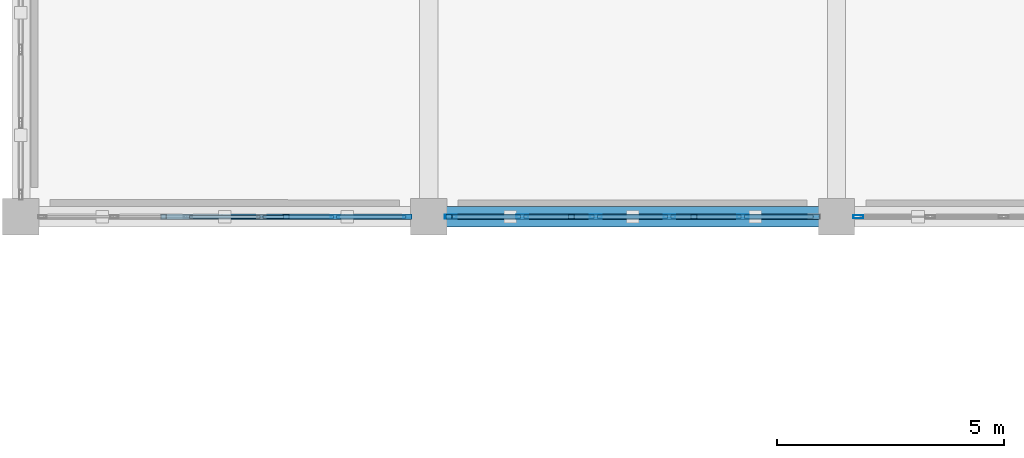
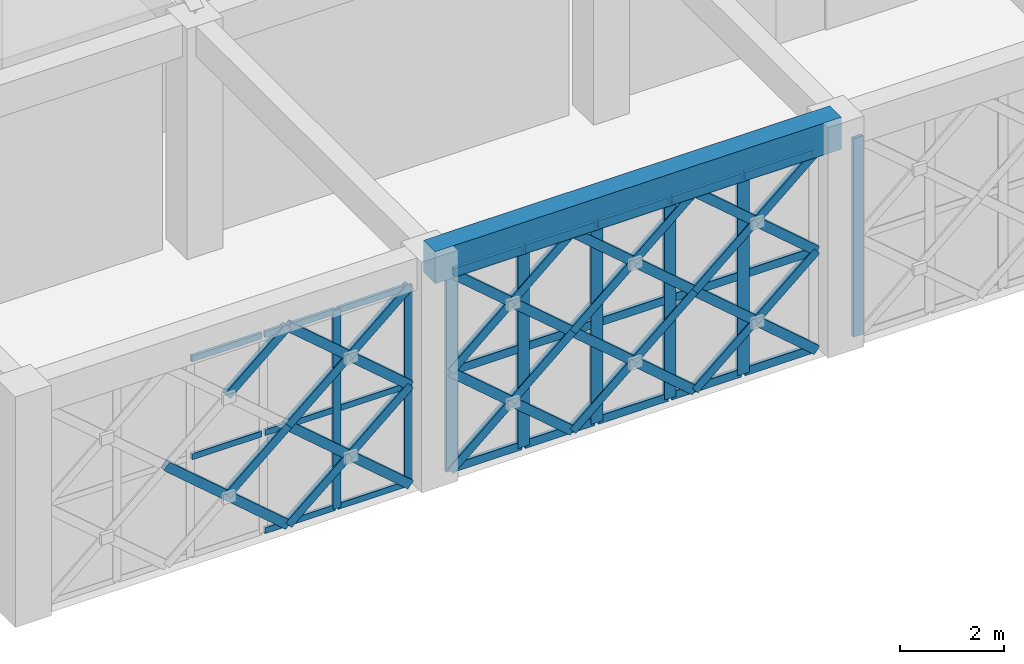
# One storey, part 23 of 86: 58 members, 1 beam, 3 elements without a shape of their own.
"""IFC4 building model written with IfcOpenShell, lengths in metres."""

from ifc_helpers import new_model, si_unit, direction, frame, origin, origin_2d, place, context, subcontext, project, spatial, rectangle, hollow_rectangle, extrude, material, material_profile, profile_set, type_object, element, aggregate, save


model = new_model("IFC4")

# Units and contexts
model_context = context("Model", 3, precision=1e-05, world=origin(), true_north=direction((0.0, 1.0)))
body_context = subcontext(model_context, "Body", "Model", "MODEL_VIEW")
ifc_project = project(units=[si_unit("LENGTHUNIT", "METRE"), si_unit("AREAUNIT", "SQUARE_METRE"), si_unit("VOLUMEUNIT", "CUBIC_METRE"), si_unit("PLANEANGLEUNIT", "RADIAN"), si_unit("MASSUNIT", "GRAM", prefix="KILO")], contexts=[model_context])

# Site, building, storey
site_placement = place(None, origin())
site = spatial("IfcSite", under=ifc_project, at=site_placement, CompositionType="ELEMENT")
building_placement = place(site_placement, origin())
building = spatial("IfcBuilding", under=site, at=building_placement, Name="Haizhuo Lancet Aquarium", CompositionType="ELEMENT")
storey_placement = place(building_placement, frame((0.0, 0.0, 16.199951171875)))
storey = spatial("IfcBuildingStorey", under=building, at=storey_placement, Name="L03", CompositionType="ELEMENT", Elevation=16.199951171875)

# Beam
ifc_material_1 = material(Name="Concrete C40/50", Category="concrete")
ifc_material_profile_1 = material_profile(ifc_material_1, rectangle(XDim=0.449951171875, YDim=0.75, at=origin_2d()), Name="RC-BM 450x750")
ifc_profile_set_1 = profile_set([ifc_material_profile_1], Name="Concrete C40/50")
beam_type = type_object("IfcBeamType", Name="BM-RC-450x750", PredefinedType="BEAM", material=ifc_profile_set_1)
beam_placement = place(storey_placement, frame((36.0, -36.0, 5.025146484375), z_axis=(1.0, 0.0, 0.0), x_axis=(0.0, 1.0, 0.0)))
element("IfcBeam", 1, at=beam_placement, inside=storey, type_object=beam_type, Name="L03 V3 primary girder BM-L03-V3-008", PredefinedType="BEAM", context=body_context, shape_type="SweptSolid", body=[
    extrude(rectangle(XDim=0.449951171875, YDim=0.75, at=origin_2d()), origin(), (0.0, 0.0, 1.0), 9.0),
])

# Curtain wall, members
ifc_material_2 = material(Name="Aluminium 6063-T6", Category="aluminium")
curtain_wall_type = type_object("IfcCurtainWallType", Name="CWO-8110x4650", PredefinedType="NOTDEFINED", material=ifc_material_2)
curtain_wall_1_placement = place(storey_placement, origin())
curtain_wall_1 = element("IfcCurtainWall", 2, at=curtain_wall_1_placement, inside=storey, type_object=curtain_wall_type, Name="L03 curtain wall CW-V3-L03-079", PredefinedType="NOTDEFINED")
ifc_material_profile_2 = material_profile(ifc_material_2, hollow_rectangle(XDim=0.06494140625, YDim=0.179931640625, WallThickness=0.00390625, at=origin_2d()), Name="ALU-M 65x180x4")
ifc_profile_set_2 = profile_set([ifc_material_profile_2], Name="Aluminium 6063-T6")
member_type_1 = type_object("IfcMemberType", Name="CW-MUL-1", PredefinedType="MULLION", material=ifc_profile_set_2)
member_1_placement = place(storey_placement, frame((35.52294921875, -36.0, 0.0), z_axis=(0.0, 0.0, 1.0), x_axis=(0.0, -1.0, 0.0)))
member_1 = element("IfcMember", 3, at=member_1_placement, type_object=member_type_1, Name="CWO-81x46 mullion 1", PredefinedType="MULLION", context=body_context, shape_type="SweptSolid", body=[
    extrude(hollow_rectangle(XDim=0.06494140625, YDim=0.179931640625, WallThickness=0.00390625, at=origin_2d()), origin(), (0.0, 0.0, 1.0), 4.650146484375),
])
member_2_placement = place(storey_placement, frame((33.93310546875, -36.0, 0.0), z_axis=(0.0, 0.0, 1.0), x_axis=(0.0, -1.0, 0.0)))
member_2 = element("IfcMember", 4, at=member_2_placement, type_object=member_type_1, Name="CWO-81x46 mullion 2", PredefinedType="MULLION", context=body_context, shape_type="SweptSolid", body=[
    extrude(hollow_rectangle(XDim=0.06494140625, YDim=0.179931640625, WallThickness=0.00390625, at=origin_2d()), origin(), (0.0, 0.0, 1.0), 4.650146484375),
])

# Curtain wall, member
curtain_wall_2_placement = place(storey_placement, origin())
curtain_wall_2 = element("IfcCurtainWall", 5, at=curtain_wall_2_placement, inside=storey, type_object=curtain_wall_type, Name="L03 curtain wall CW-V3-L03-077", PredefinedType="NOTDEFINED")
ifc_material_profile_3 = material_profile(ifc_material_2, hollow_rectangle(XDim=0.074951171875, YDim=0.219970703125, WallThickness=0.0048828125, at=origin_2d()), Name="ALU-M 75x220x5")
ifc_profile_set_3 = profile_set([ifc_material_profile_3], Name="Aluminium 6063-T6")
member_type_2 = type_object("IfcMemberType", Name="CW-MUL-2", PredefinedType="MULLION", material=ifc_profile_set_3)
member_3_placement = place(storey_placement, frame((45.48291015625, -36.0, 0.0), z_axis=(0.0, 0.0, 1.0), x_axis=(0.0, -1.0, 0.0)))
member_3 = element("IfcMember", 6, at=member_3_placement, type_object=member_type_2, Name="CWO-81x46 mullion 6", PredefinedType="MULLION", context=body_context, shape_type="SweptSolid", body=[
    extrude(hollow_rectangle(XDim=0.074951171875, YDim=0.219970703125, WallThickness=0.0048828125, at=origin_2d()), origin(), (0.0, 0.0, 1.0), 4.650146484375),
])
aggregate(curtain_wall_2, [member_3])

# Curtain wall, members
curtain_wall_3_placement = place(storey_placement, origin())
curtain_wall_3 = element("IfcCurtainWall", 7, at=curtain_wall_3_placement, inside=storey, type_object=curtain_wall_type, Name="L03 curtain wall CW-V3-L03-078", PredefinedType="NOTDEFINED")
ifc_material_profile_4 = material_profile(ifc_material_2, hollow_rectangle(XDim=0.080078125, YDim=0.260009765625, WallThickness=0.0048828125, at=origin_2d()), Name="ALU-M 80x260x5")
ifc_profile_set_4 = profile_set([ifc_material_profile_4], Name="Aluminium 6063-T6")
member_type_3 = type_object("IfcMemberType", Name="CW-MUL-3", PredefinedType="MULLION", material=ifc_profile_set_4)
member_4_placement = place(storey_placement, frame((42.93310546875, -36.0, 0.0), z_axis=(0.0, 0.0, 1.0), x_axis=(0.0, -1.0, 0.0)))
member_4 = element("IfcMember", 8, at=member_4_placement, type_object=member_type_3, Name="CWO-81x46 mullion 2", PredefinedType="MULLION", context=body_context, shape_type="SweptSolid", body=[
    extrude(hollow_rectangle(XDim=0.080078125, YDim=0.260009765625, WallThickness=0.0048828125, at=origin_2d()), origin(), (0.0, 0.0, 1.0), 4.650146484375),
])
member_5_placement = place(storey_placement, frame((41.31103515625, -36.0, 0.0), z_axis=(0.0, 0.0, 1.0), x_axis=(0.0, -1.0, 0.0)))
member_5 = element("IfcMember", 9, at=member_5_placement, type_object=member_type_3, Name="CWO-81x46 mullion 3", PredefinedType="MULLION", context=body_context, shape_type="SweptSolid", body=[
    extrude(hollow_rectangle(XDim=0.080078125, YDim=0.260009765625, WallThickness=0.0048828125, at=origin_2d()), origin(), (0.0, 0.0, 1.0), 4.650146484375),
])
member_6_placement = place(storey_placement, frame((39.68896484375, -36.0, 0.0), z_axis=(0.0, 0.0, 1.0), x_axis=(0.0, -1.0, 0.0)))
member_6 = element("IfcMember", 10, at=member_6_placement, type_object=member_type_3, Name="CWO-81x46 mullion 4", PredefinedType="MULLION", context=body_context, shape_type="SweptSolid", body=[
    extrude(hollow_rectangle(XDim=0.080078125, YDim=0.260009765625, WallThickness=0.0048828125, at=origin_2d()), origin(), (0.0, 0.0, 1.0), 4.650146484375),
])
member_7_placement = place(storey_placement, frame((38.06689453125, -36.0, 0.0), z_axis=(0.0, 0.0, 1.0), x_axis=(0.0, -1.0, 0.0)))
member_7 = element("IfcMember", 11, at=member_7_placement, type_object=member_type_3, Name="CWO-81x46 mullion 5", PredefinedType="MULLION", context=body_context, shape_type="SweptSolid", body=[
    extrude(hollow_rectangle(XDim=0.080078125, YDim=0.260009765625, WallThickness=0.0048828125, at=origin_2d()), origin(), (0.0, 0.0, 1.0), 4.650146484375),
])
member_8_placement = place(storey_placement, frame((36.485107421875, -36.0, 0.0), z_axis=(0.0, 0.0, 1.0), x_axis=(0.0, -1.0, 0.0)))
member_8 = element("IfcMember", 12, at=member_8_placement, type_object=member_type_3, Name="CWO-81x46 mullion 6", PredefinedType="MULLION", context=body_context, shape_type="SweptSolid", body=[
    extrude(hollow_rectangle(XDim=0.080078125, YDim=0.260009765625, WallThickness=0.0048828125, at=origin_2d()), origin(), (0.0, 0.0, 1.0), 4.650146484375),
])

# Member
ifc_material_profile_5 = material_profile(ifc_material_2, hollow_rectangle(XDim=0.06494140625, YDim=0.139892578125, WallThickness=0.00390625, at=origin_2d()), Name="ALU-T 65x140x4")
ifc_profile_set_5 = profile_set([ifc_material_profile_5], Name="Aluminium 6063-T6")
member_type_4 = type_object("IfcMemberType", Name="CW-TRN-1", PredefinedType="NOTDEFINED", material=ifc_profile_set_5)
member_9_placement = place(storey_placement, frame((35.489990234375, -36.0, 0.031982421875), z_axis=(-1.0, 0.0, 0.0), x_axis=(0.0, -1.0, 0.0)))
member_9 = element("IfcMember", 13, at=member_9_placement, type_object=member_type_4, Name="CWO-81x46 transom 1.1", ObjectType="TRANSOM", PredefinedType="USERDEFINED", context=body_context, shape_type="SweptSolid", body=[
    extrude(hollow_rectangle(XDim=0.06494140625, YDim=0.139892578125, WallThickness=0.00390625, at=origin_2d()), origin(), (0.0, 0.0, 1.0), 1.52490234375),
])

member_10_placement = place(storey_placement, frame((35.489990234375, -36.0, 2.324951171875), z_axis=(-1.0, 0.0, 0.0), x_axis=(0.0, -1.0, 0.0)))
member_10 = element("IfcMember", 14, at=member_10_placement, type_object=member_type_4, Name="CWO-81x46 transom 1.2", ObjectType="TRANSOM", PredefinedType="USERDEFINED", context=body_context, shape_type="SweptSolid", body=[
    extrude(hollow_rectangle(XDim=0.06494140625, YDim=0.139892578125, WallThickness=0.00390625, at=origin_2d()), origin(), (0.0, 0.0, 1.0), 1.52490234375),
])

member_11_placement = place(storey_placement, frame((35.489990234375, -36.0, 4.6181640625), z_axis=(-1.0, 0.0, 0.0), x_axis=(0.0, -1.0, 0.0)))
member_11 = element("IfcMember", 15, at=member_11_placement, type_object=member_type_4, Name="CWO-81x46 transom 1.3", ObjectType="TRANSOM", PredefinedType="USERDEFINED", context=body_context, shape_type="SweptSolid", body=[
    extrude(hollow_rectangle(XDim=0.06494140625, YDim=0.139892578125, WallThickness=0.00390625, at=origin_2d()), origin(), (0.0, 0.0, 1.0), 1.52490234375),
])

member_12_placement = place(storey_placement, frame((33.90087890625, -36.0, 0.031982421875), z_axis=(-1.0, 0.0, 0.0), x_axis=(0.0, -1.0, 0.0)))
member_12 = element("IfcMember", 16, at=member_12_placement, type_object=member_type_4, Name="CWO-81x46 transom 2.1", ObjectType="TRANSOM", PredefinedType="USERDEFINED", context=body_context, shape_type="SweptSolid", body=[
    extrude(hollow_rectangle(XDim=0.06494140625, YDim=0.139892578125, WallThickness=0.00390625, at=origin_2d()), origin(), (0.0, 0.0, 1.0), 1.557861328125),
])

member_13_placement = place(storey_placement, frame((33.90087890625, -36.0, 2.324951171875), z_axis=(-1.0, 0.0, 0.0), x_axis=(0.0, -1.0, 0.0)))
member_13 = element("IfcMember", 17, at=member_13_placement, type_object=member_type_4, Name="CWO-81x46 transom 2.2", ObjectType="TRANSOM", PredefinedType="USERDEFINED", context=body_context, shape_type="SweptSolid", body=[
    extrude(hollow_rectangle(XDim=0.06494140625, YDim=0.139892578125, WallThickness=0.00390625, at=origin_2d()), origin(), (0.0, 0.0, 1.0), 1.557861328125),
])

member_14_placement = place(storey_placement, frame((33.90087890625, -36.0, 4.6181640625), z_axis=(-1.0, 0.0, 0.0), x_axis=(0.0, -1.0, 0.0)))
member_14 = element("IfcMember", 18, at=member_14_placement, type_object=member_type_4, Name="CWO-81x46 transom 2.3", ObjectType="TRANSOM", PredefinedType="USERDEFINED", context=body_context, shape_type="SweptSolid", body=[
    extrude(hollow_rectangle(XDim=0.06494140625, YDim=0.139892578125, WallThickness=0.00390625, at=origin_2d()), origin(), (0.0, 0.0, 1.0), 1.557861328125),
])

member_15_placement = place(storey_placement, frame((32.279052734375, -36.0, 2.324951171875), z_axis=(-1.0, 0.0, 0.0), x_axis=(0.0, -1.0, 0.0)))
member_15 = element("IfcMember", 19, at=member_15_placement, type_object=member_type_4, Name="CWO-81x46 transom 3.2", ObjectType="TRANSOM", PredefinedType="USERDEFINED", context=body_context, shape_type="SweptSolid", body=[
    extrude(hollow_rectangle(XDim=0.06494140625, YDim=0.139892578125, WallThickness=0.00390625, at=origin_2d()), origin(), (0.0, 0.0, 1.0), 1.55810546875),
])

member_16_placement = place(storey_placement, frame((32.279052734375, -36.0, 4.6181640625), z_axis=(-1.0, 0.0, 0.0), x_axis=(0.0, -1.0, 0.0)))
member_16 = element("IfcMember", 20, at=member_16_placement, type_object=member_type_4, Name="CWO-81x46 transom 3.3", ObjectType="TRANSOM", PredefinedType="USERDEFINED", context=body_context, shape_type="SweptSolid", body=[
    extrude(hollow_rectangle(XDim=0.06494140625, YDim=0.139892578125, WallThickness=0.00390625, at=origin_2d()), origin(), (0.0, 0.0, 1.0), 1.55810546875),
])

aggregate(curtain_wall_1, [member_1, member_2, member_9, member_10, member_11, member_12, member_13, member_14, member_15, member_16])

ifc_material_profile_6 = material_profile(ifc_material_2, hollow_rectangle(XDim=0.080078125, YDim=0.18994140625, WallThickness=0.0048828125, at=origin_2d()), Name="ALU-T 80x190x5")
ifc_profile_set_6 = profile_set([ifc_material_profile_6], Name="Aluminium 6063-T6")
member_type_5 = type_object("IfcMemberType", Name="CW-TRN-3", PredefinedType="NOTDEFINED", material=ifc_profile_set_6)
member_17_placement = place(storey_placement, frame((44.47509765625, -36.0, 0.0400390625), z_axis=(-1.0, 0.0, 0.0), x_axis=(0.0, -1.0, 0.0)))
member_17 = element("IfcMember", 21, at=member_17_placement, type_object=member_type_5, Name="CWO-81x46 transom 1.1", ObjectType="TRANSOM", PredefinedType="USERDEFINED", context=body_context, shape_type="SweptSolid", body=[
    extrude(hollow_rectangle(XDim=0.080078125, YDim=0.18994140625, WallThickness=0.0048828125, at=origin_2d()), origin(), (0.0, 0.0, 1.0), 1.502197265625),
])

member_18_placement = place(storey_placement, frame((44.47509765625, -36.0, 2.324951171875), z_axis=(-1.0, 0.0, 0.0), x_axis=(0.0, -1.0, 0.0)))
member_18 = element("IfcMember", 22, at=member_18_placement, type_object=member_type_5, Name="CWO-81x46 transom 1.2", ObjectType="TRANSOM", PredefinedType="USERDEFINED", context=body_context, shape_type="SweptSolid", body=[
    extrude(hollow_rectangle(XDim=0.080078125, YDim=0.18994140625, WallThickness=0.0048828125, at=origin_2d()), origin(), (0.0, 0.0, 1.0), 1.502197265625),
])

member_19_placement = place(storey_placement, frame((44.47509765625, -36.0, 4.610107421875), z_axis=(-1.0, 0.0, 0.0), x_axis=(0.0, -1.0, 0.0)))
member_19 = element("IfcMember", 23, at=member_19_placement, type_object=member_type_5, Name="CWO-81x46 transom 1.3", ObjectType="TRANSOM", PredefinedType="USERDEFINED", context=body_context, shape_type="SweptSolid", body=[
    extrude(hollow_rectangle(XDim=0.080078125, YDim=0.18994140625, WallThickness=0.0048828125, at=origin_2d()), origin(), (0.0, 0.0, 1.0), 1.502197265625),
])

member_20_placement = place(storey_placement, frame((42.89306640625, -36.0, 0.0400390625), z_axis=(-1.0, 0.0, 0.0), x_axis=(0.0, -1.0, 0.0)))
member_20 = element("IfcMember", 24, at=member_20_placement, type_object=member_type_5, Name="CWO-81x46 transom 2.1", ObjectType="TRANSOM", PredefinedType="USERDEFINED", context=body_context, shape_type="SweptSolid", body=[
    extrude(hollow_rectangle(XDim=0.080078125, YDim=0.18994140625, WallThickness=0.0048828125, at=origin_2d()), origin(), (0.0, 0.0, 1.0), 1.5419921875),
])

member_21_placement = place(storey_placement, frame((42.89306640625, -36.0, 2.324951171875), z_axis=(-1.0, 0.0, 0.0), x_axis=(0.0, -1.0, 0.0)))
member_21 = element("IfcMember", 25, at=member_21_placement, type_object=member_type_5, Name="CWO-81x46 transom 2.2", ObjectType="TRANSOM", PredefinedType="USERDEFINED", context=body_context, shape_type="SweptSolid", body=[
    extrude(hollow_rectangle(XDim=0.080078125, YDim=0.18994140625, WallThickness=0.0048828125, at=origin_2d()), origin(), (0.0, 0.0, 1.0), 1.5419921875),
])

member_22_placement = place(storey_placement, frame((42.89306640625, -36.0, 4.610107421875), z_axis=(-1.0, 0.0, 0.0), x_axis=(0.0, -1.0, 0.0)))
member_22 = element("IfcMember", 26, at=member_22_placement, type_object=member_type_5, Name="CWO-81x46 transom 2.3", ObjectType="TRANSOM", PredefinedType="USERDEFINED", context=body_context, shape_type="SweptSolid", body=[
    extrude(hollow_rectangle(XDim=0.080078125, YDim=0.18994140625, WallThickness=0.0048828125, at=origin_2d()), origin(), (0.0, 0.0, 1.0), 1.5419921875),
])

member_23_placement = place(storey_placement, frame((41.27099609375, -36.0, 0.0400390625), z_axis=(-1.0, 0.0, 0.0), x_axis=(0.0, -1.0, 0.0)))
member_23 = element("IfcMember", 27, at=member_23_placement, type_object=member_type_5, Name="CWO-81x46 transom 3.1", ObjectType="TRANSOM", PredefinedType="USERDEFINED", context=body_context, shape_type="SweptSolid", body=[
    extrude(hollow_rectangle(XDim=0.080078125, YDim=0.18994140625, WallThickness=0.0048828125, at=origin_2d()), origin(), (0.0, 0.0, 1.0), 1.5419921875),
])

member_24_placement = place(storey_placement, frame((41.27099609375, -36.0, 2.324951171875), z_axis=(-1.0, 0.0, 0.0), x_axis=(0.0, -1.0, 0.0)))
member_24 = element("IfcMember", 28, at=member_24_placement, type_object=member_type_5, Name="CWO-81x46 transom 3.2", ObjectType="TRANSOM", PredefinedType="USERDEFINED", context=body_context, shape_type="SweptSolid", body=[
    extrude(hollow_rectangle(XDim=0.080078125, YDim=0.18994140625, WallThickness=0.0048828125, at=origin_2d()), origin(), (0.0, 0.0, 1.0), 1.5419921875),
])

member_25_placement = place(storey_placement, frame((41.27099609375, -36.0, 4.610107421875), z_axis=(-1.0, 0.0, 0.0), x_axis=(0.0, -1.0, 0.0)))
member_25 = element("IfcMember", 29, at=member_25_placement, type_object=member_type_5, Name="CWO-81x46 transom 3.3", ObjectType="TRANSOM", PredefinedType="USERDEFINED", context=body_context, shape_type="SweptSolid", body=[
    extrude(hollow_rectangle(XDim=0.080078125, YDim=0.18994140625, WallThickness=0.0048828125, at=origin_2d()), origin(), (0.0, 0.0, 1.0), 1.5419921875),
])

member_26_placement = place(storey_placement, frame((39.64892578125, -36.0, 0.0400390625), z_axis=(-1.0, 0.0, 0.0), x_axis=(0.0, -1.0, 0.0)))
member_26 = element("IfcMember", 30, at=member_26_placement, type_object=member_type_5, Name="CWO-81x46 transom 4.1", ObjectType="TRANSOM", PredefinedType="USERDEFINED", context=body_context, shape_type="SweptSolid", body=[
    extrude(hollow_rectangle(XDim=0.080078125, YDim=0.18994140625, WallThickness=0.0048828125, at=origin_2d()), origin(), (0.0, 0.0, 1.0), 1.5419921875),
])

member_27_placement = place(storey_placement, frame((39.64892578125, -36.0, 2.324951171875), z_axis=(-1.0, 0.0, 0.0), x_axis=(0.0, -1.0, 0.0)))
member_27 = element("IfcMember", 31, at=member_27_placement, type_object=member_type_5, Name="CWO-81x46 transom 4.2", ObjectType="TRANSOM", PredefinedType="USERDEFINED", context=body_context, shape_type="SweptSolid", body=[
    extrude(hollow_rectangle(XDim=0.080078125, YDim=0.18994140625, WallThickness=0.0048828125, at=origin_2d()), origin(), (0.0, 0.0, 1.0), 1.5419921875),
])

member_28_placement = place(storey_placement, frame((39.64892578125, -36.0, 4.610107421875), z_axis=(-1.0, 0.0, 0.0), x_axis=(0.0, -1.0, 0.0)))
member_28 = element("IfcMember", 32, at=member_28_placement, type_object=member_type_5, Name="CWO-81x46 transom 4.3", ObjectType="TRANSOM", PredefinedType="USERDEFINED", context=body_context, shape_type="SweptSolid", body=[
    extrude(hollow_rectangle(XDim=0.080078125, YDim=0.18994140625, WallThickness=0.0048828125, at=origin_2d()), origin(), (0.0, 0.0, 1.0), 1.5419921875),
])

member_29_placement = place(storey_placement, frame((38.027099609375, -36.0, 0.0400390625), z_axis=(-1.0, 0.0, 0.0), x_axis=(0.0, -1.0, 0.0)))
member_29 = element("IfcMember", 33, at=member_29_placement, type_object=member_type_5, Name="CWO-81x46 transom 5.1", ObjectType="TRANSOM", PredefinedType="USERDEFINED", context=body_context, shape_type="SweptSolid", body=[
    extrude(hollow_rectangle(XDim=0.080078125, YDim=0.18994140625, WallThickness=0.0048828125, at=origin_2d()), origin(), (0.0, 0.0, 1.0), 1.502197265625),
])

member_30_placement = place(storey_placement, frame((38.027099609375, -36.0, 2.324951171875), z_axis=(-1.0, 0.0, 0.0), x_axis=(0.0, -1.0, 0.0)))
member_30 = element("IfcMember", 34, at=member_30_placement, type_object=member_type_5, Name="CWO-81x46 transom 5.2", ObjectType="TRANSOM", PredefinedType="USERDEFINED", context=body_context, shape_type="SweptSolid", body=[
    extrude(hollow_rectangle(XDim=0.080078125, YDim=0.18994140625, WallThickness=0.0048828125, at=origin_2d()), origin(), (0.0, 0.0, 1.0), 1.502197265625),
])

member_31_placement = place(storey_placement, frame((38.027099609375, -36.0, 4.610107421875), z_axis=(-1.0, 0.0, 0.0), x_axis=(0.0, -1.0, 0.0)))
member_31 = element("IfcMember", 35, at=member_31_placement, type_object=member_type_5, Name="CWO-81x46 transom 5.3", ObjectType="TRANSOM", PredefinedType="USERDEFINED", context=body_context, shape_type="SweptSolid", body=[
    extrude(hollow_rectangle(XDim=0.080078125, YDim=0.18994140625, WallThickness=0.0048828125, at=origin_2d()), origin(), (0.0, 0.0, 1.0), 1.502197265625),
])

aggregate(curtain_wall_3, [member_4, member_5, member_6, member_7, member_8, member_17, member_18, member_19, member_20, member_21, member_22, member_23, member_24, member_25, member_26, member_27, member_28, member_29, member_30, member_31])

# Members
ifc_material_3 = material(Name="Steel S355", Category="steel")
ifc_material_profile_7 = material_profile(ifc_material_3, hollow_rectangle(XDim=0.1201171875, YDim=0.199951171875, WallThickness=0.008056640625, at=origin_2d()), Name="RHS 120x200x8")
ifc_profile_set_7 = profile_set([ifc_material_profile_7], Name="Steel S355")
member_type_6 = type_object("IfcMemberType", Name="MEM-LB-RHS120x200", PredefinedType="BRACE", material=ifc_profile_set_7)
member_32_placement = place(storey_placement, frame((44.554931640625, -36.0, 0.0), z_axis=(-0.758119517235, 0.0, 0.652115632068), x_axis=(0.0, -1.0, 0.0)))
element("IfcMember", 36, at=member_32_placement, inside=storey, type_object=member_type_6, Name="Gothic lancet continuous diagonal brace CW-V3-L03-078 1A", PredefinedType="BRACE", context=body_context, shape_type="SweptSolid", body=[
    extrude(hollow_rectangle(XDim=0.1201171875, YDim=0.199951171875, WallThickness=0.008056640625, at=origin_2d()), origin(), (0.0, 0.0, 1.0), 3.565185546875),
])
member_33_placement = place(storey_placement, frame((41.85205078125, -36.0, 0.0), z_axis=(0.758075457988, 0.0, 0.652166849814), x_axis=(0.0, 1.0, 0.0)))
element("IfcMember", 37, at=member_33_placement, inside=storey, type_object=member_type_6, Name="Gothic lancet split diagonal brace CW-V3-L03-078 1B1", PredefinedType="BRACE", context=body_context, shape_type="SweptSolid", body=[
    extrude(hollow_rectangle(XDim=0.1201171875, YDim=0.199951171875, WallThickness=0.008056640625, at=origin_2d()), origin(), (0.0, 0.0, 1.0), 1.781982421875),
])
member_34_placement = place(storey_placement, frame((43.202880859375, -36.0, 1.162109375), z_axis=(0.758163538361, 0.0, 0.652064451646), x_axis=(0.0, 1.0, 0.0)))
element("IfcMember", 38, at=member_34_placement, inside=storey, type_object=member_type_6, Name="Gothic lancet split diagonal brace CW-V3-L03-078 1B2", PredefinedType="BRACE", context=body_context, shape_type="SweptSolid", body=[
    extrude(hollow_rectangle(XDim=0.1201171875, YDim=0.199951171875, WallThickness=0.008056640625, at=origin_2d()), origin(), (0.0, 0.0, 1.0), 1.783203125),
])
member_35_placement = place(storey_placement, frame((44.554931640625, -36.0, 2.324951171875), z_axis=(-0.758085663481, 0.0, 0.652154986812), x_axis=(0.0, -1.0, 0.0)))
element("IfcMember", 39, at=member_35_placement, inside=storey, type_object=member_type_6, Name="Gothic lancet continuous diagonal brace CW-V3-L03-078 2A", PredefinedType="BRACE", context=body_context, shape_type="SweptSolid", body=[
    extrude(hollow_rectangle(XDim=0.1201171875, YDim=0.199951171875, WallThickness=0.008056640625, at=origin_2d()), origin(), (0.0, 0.0, 1.0), 3.5654296875),
])
member_36_placement = place(storey_placement, frame((41.85205078125, -36.0, 2.324951171875), z_axis=(0.757804543333, 0.0, 0.652481627407), x_axis=(0.0, 1.0, 0.0)))
element("IfcMember", 40, at=member_36_placement, inside=storey, type_object=member_type_6, Name="Gothic lancet split diagonal brace CW-V3-L03-078 2B1", PredefinedType="BRACE", context=body_context, shape_type="SweptSolid", body=[
    extrude(hollow_rectangle(XDim=0.1201171875, YDim=0.199951171875, WallThickness=0.008056640625, at=origin_2d()), origin(), (0.0, 0.0, 1.0), 1.782470703125),
])
member_37_placement = place(storey_placement, frame((43.202880859375, -36.0, 3.488037109375), z_axis=(0.758366597375, 0.0, 0.651828277989), x_axis=(0.0, 1.0, 0.0)))
element("IfcMember", 41, at=member_37_placement, inside=storey, type_object=member_type_6, Name="Gothic lancet split diagonal brace CW-V3-L03-078 2B2", PredefinedType="BRACE", context=body_context, shape_type="SweptSolid", body=[
    extrude(hollow_rectangle(XDim=0.1201171875, YDim=0.199951171875, WallThickness=0.008056640625, at=origin_2d()), origin(), (0.0, 0.0, 1.0), 1.782958984375),
])
member_38_placement = place(storey_placement, frame((41.85205078125, -36.0, 0.0), z_axis=(-0.758265063468, 0.0, 0.651946388535), x_axis=(0.0, -1.0, 0.0)))
element("IfcMember", 42, at=member_38_placement, inside=storey, type_object=member_type_6, Name="Gothic lancet continuous diagonal brace CW-V3-L03-078 3A", PredefinedType="BRACE", context=body_context, shape_type="SweptSolid", body=[
    extrude(hollow_rectangle(XDim=0.1201171875, YDim=0.199951171875, WallThickness=0.008056640625, at=origin_2d()), origin(), (0.0, 0.0, 1.0), 3.566162109375),
])
member_39_placement = place(storey_placement, frame((39.14794921875, -36.0, 0.0), z_axis=(0.758366597375, 0.0, 0.651828277989), x_axis=(0.0, 1.0, 0.0)))
element("IfcMember", 43, at=member_39_placement, inside=storey, type_object=member_type_6, Name="Gothic lancet split diagonal brace CW-V3-L03-078 3B1", PredefinedType="BRACE", context=body_context, shape_type="SweptSolid", body=[
    extrude(hollow_rectangle(XDim=0.1201171875, YDim=0.199951171875, WallThickness=0.008056640625, at=origin_2d()), origin(), (0.0, 0.0, 1.0), 1.782958984375),
])
member_40_placement = place(storey_placement, frame((40.5, -36.0, 1.162109375), z_axis=(0.758163538361, 0.0, 0.652064451646), x_axis=(0.0, 1.0, 0.0)))
element("IfcMember", 44, at=member_40_placement, inside=storey, type_object=member_type_6, Name="Gothic lancet split diagonal brace CW-V3-L03-078 3B2", PredefinedType="BRACE", context=body_context, shape_type="SweptSolid", body=[
    extrude(hollow_rectangle(XDim=0.1201171875, YDim=0.199951171875, WallThickness=0.008056640625, at=origin_2d()), origin(), (0.0, 0.0, 1.0), 1.783203125),
])
member_41_placement = place(storey_placement, frame((41.85205078125, -36.0, 2.324951171875), z_axis=(-0.758231220788, 0.0, 0.651985748175), x_axis=(0.0, -1.0, 0.0)))
element("IfcMember", 45, at=member_41_placement, inside=storey, type_object=member_type_6, Name="Gothic lancet continuous diagonal brace CW-V3-L03-078 4A", PredefinedType="BRACE", context=body_context, shape_type="SweptSolid", body=[
    extrude(hollow_rectangle(XDim=0.1201171875, YDim=0.199951171875, WallThickness=0.008056640625, at=origin_2d()), origin(), (0.0, 0.0, 1.0), 3.56640625),
])
member_42_placement = place(storey_placement, frame((39.14794921875, -36.0, 2.324951171875), z_axis=(0.75809585985, 0.0, 0.652143134042), x_axis=(0.0, 1.0, 0.0)))
element("IfcMember", 46, at=member_42_placement, inside=storey, type_object=member_type_6, Name="Gothic lancet split diagonal brace CW-V3-L03-078 4B1", PredefinedType="BRACE", context=body_context, shape_type="SweptSolid", body=[
    extrude(hollow_rectangle(XDim=0.1201171875, YDim=0.199951171875, WallThickness=0.008056640625, at=origin_2d()), origin(), (0.0, 0.0, 1.0), 1.783447265625),
])
member_43_placement = place(storey_placement, frame((40.5, -36.0, 3.488037109375), z_axis=(0.758366597375, 0.0, 0.651828277989), x_axis=(0.0, 1.0, 0.0)))
element("IfcMember", 47, at=member_43_placement, inside=storey, type_object=member_type_6, Name="Gothic lancet split diagonal brace CW-V3-L03-078 4B2", PredefinedType="BRACE", context=body_context, shape_type="SweptSolid", body=[
    extrude(hollow_rectangle(XDim=0.1201171875, YDim=0.199951171875, WallThickness=0.008056640625, at=origin_2d()), origin(), (0.0, 0.0, 1.0), 1.782958984375),
])
member_44_placement = place(storey_placement, frame((39.14794921875, -36.0, 0.0), z_axis=(-0.758119517235, 0.0, 0.652115632068), x_axis=(0.0, -1.0, 0.0)))
element("IfcMember", 48, at=member_44_placement, inside=storey, type_object=member_type_6, Name="Gothic lancet continuous diagonal brace CW-V3-L03-078 5A", PredefinedType="BRACE", context=body_context, shape_type="SweptSolid", body=[
    extrude(hollow_rectangle(XDim=0.1201171875, YDim=0.199951171875, WallThickness=0.008056640625, at=origin_2d()), origin(), (0.0, 0.0, 1.0), 3.565185546875),
])
member_45_placement = place(storey_placement, frame((36.445068359375, -36.0, 0.0), z_axis=(0.758366597375, 0.0, 0.651828277989), x_axis=(0.0, 1.0, 0.0)))
element("IfcMember", 49, at=member_45_placement, inside=storey, type_object=member_type_6, Name="Gothic lancet split diagonal brace CW-V3-L03-078 5B1", PredefinedType="BRACE", context=body_context, shape_type="SweptSolid", body=[
    extrude(hollow_rectangle(XDim=0.1201171875, YDim=0.199951171875, WallThickness=0.008056640625, at=origin_2d()), origin(), (0.0, 0.0, 1.0), 1.782958984375),
])
member_46_placement = place(storey_placement, frame((37.797119140625, -36.0, 1.162109375), z_axis=(0.757872266095, 0.0, 0.65240296465), x_axis=(0.0, 1.0, 0.0)))
element("IfcMember", 50, at=member_46_placement, inside=storey, type_object=member_type_6, Name="Gothic lancet split diagonal brace CW-V3-L03-078 5B2", PredefinedType="BRACE", context=body_context, shape_type="SweptSolid", body=[
    extrude(hollow_rectangle(XDim=0.1201171875, YDim=0.199951171875, WallThickness=0.008056640625, at=origin_2d()), origin(), (0.0, 0.0, 1.0), 1.782470703125),
])
member_47_placement = place(storey_placement, frame((39.14794921875, -36.0, 2.324951171875), z_axis=(-0.758085663481, 0.0, 0.652154986812), x_axis=(0.0, -1.0, 0.0)))
element("IfcMember", 51, at=member_47_placement, inside=storey, type_object=member_type_6, Name="Gothic lancet continuous diagonal brace CW-V3-L03-078 6A", PredefinedType="BRACE", context=body_context, shape_type="SweptSolid", body=[
    extrude(hollow_rectangle(XDim=0.1201171875, YDim=0.199951171875, WallThickness=0.008056640625, at=origin_2d()), origin(), (0.0, 0.0, 1.0), 3.5654296875),
])
member_48_placement = place(storey_placement, frame((36.445068359375, -36.0, 2.324951171875), z_axis=(0.75809585985, 0.0, 0.652143134042), x_axis=(0.0, 1.0, 0.0)))
element("IfcMember", 52, at=member_48_placement, inside=storey, type_object=member_type_6, Name="Gothic lancet split diagonal brace CW-V3-L03-078 6B1", PredefinedType="BRACE", context=body_context, shape_type="SweptSolid", body=[
    extrude(hollow_rectangle(XDim=0.1201171875, YDim=0.199951171875, WallThickness=0.008056640625, at=origin_2d()), origin(), (0.0, 0.0, 1.0), 1.783447265625),
])
member_49_placement = place(storey_placement, frame((37.797119140625, -36.0, 3.488037109375), z_axis=(0.758075457988, 0.0, 0.652166849814), x_axis=(0.0, 1.0, 0.0)))
element("IfcMember", 53, at=member_49_placement, inside=storey, type_object=member_type_6, Name="Gothic lancet split diagonal brace CW-V3-L03-078 6B2", PredefinedType="BRACE", context=body_context, shape_type="SweptSolid", body=[
    extrude(hollow_rectangle(XDim=0.1201171875, YDim=0.199951171875, WallThickness=0.008056640625, at=origin_2d()), origin(), (0.0, 0.0, 1.0), 1.781982421875),
])
member_50_placement = place(storey_placement, frame((35.554931640625, -36.0, 0.0), z_axis=(-0.758119517235, 0.0, 0.652115632068), x_axis=(0.0, -1.0, 0.0)))
element("IfcMember", 54, at=member_50_placement, inside=storey, type_object=member_type_6, Name="Gothic lancet continuous diagonal brace CW-V3-L03-079 1A", PredefinedType="BRACE", context=body_context, shape_type="SweptSolid", body=[
    extrude(hollow_rectangle(XDim=0.1201171875, YDim=0.199951171875, WallThickness=0.008056640625, at=origin_2d()), origin(), (0.0, 0.0, 1.0), 3.565185546875),
])
member_51_placement = place(storey_placement, frame((32.85205078125, -36.0, 0.0), z_axis=(0.758075457988, 0.0, 0.652166849814), x_axis=(0.0, 1.0, 0.0)))
element("IfcMember", 55, at=member_51_placement, inside=storey, type_object=member_type_6, Name="Gothic lancet split diagonal brace CW-V3-L03-079 1B1", PredefinedType="BRACE", context=body_context, shape_type="SweptSolid", body=[
    extrude(hollow_rectangle(XDim=0.1201171875, YDim=0.199951171875, WallThickness=0.008056640625, at=origin_2d()), origin(), (0.0, 0.0, 1.0), 1.781982421875),
])
member_52_placement = place(storey_placement, frame((34.202880859375, -36.0, 1.162109375), z_axis=(0.758163538361, 0.0, 0.652064451646), x_axis=(0.0, 1.0, 0.0)))
element("IfcMember", 56, at=member_52_placement, inside=storey, type_object=member_type_6, Name="Gothic lancet split diagonal brace CW-V3-L03-079 1B2", PredefinedType="BRACE", context=body_context, shape_type="SweptSolid", body=[
    extrude(hollow_rectangle(XDim=0.1201171875, YDim=0.199951171875, WallThickness=0.008056640625, at=origin_2d()), origin(), (0.0, 0.0, 1.0), 1.783203125),
])
member_53_placement = place(storey_placement, frame((35.554931640625, -36.0, 2.324951171875), z_axis=(-0.758085663481, 0.0, 0.652154986812), x_axis=(0.0, -1.0, 0.0)))
element("IfcMember", 57, at=member_53_placement, inside=storey, type_object=member_type_6, Name="Gothic lancet continuous diagonal brace CW-V3-L03-079 2A", PredefinedType="BRACE", context=body_context, shape_type="SweptSolid", body=[
    extrude(hollow_rectangle(XDim=0.1201171875, YDim=0.199951171875, WallThickness=0.008056640625, at=origin_2d()), origin(), (0.0, 0.0, 1.0), 3.5654296875),
])
member_54_placement = place(storey_placement, frame((32.85205078125, -36.0, 2.324951171875), z_axis=(0.757804543333, 0.0, 0.652481627407), x_axis=(0.0, 1.0, 0.0)))
element("IfcMember", 58, at=member_54_placement, inside=storey, type_object=member_type_6, Name="Gothic lancet split diagonal brace CW-V3-L03-079 2B1", PredefinedType="BRACE", context=body_context, shape_type="SweptSolid", body=[
    extrude(hollow_rectangle(XDim=0.1201171875, YDim=0.199951171875, WallThickness=0.008056640625, at=origin_2d()), origin(), (0.0, 0.0, 1.0), 1.782470703125),
])
member_55_placement = place(storey_placement, frame((34.202880859375, -36.0, 3.488037109375), z_axis=(0.758366597375, 0.0, 0.651828277989), x_axis=(0.0, 1.0, 0.0)))
element("IfcMember", 59, at=member_55_placement, inside=storey, type_object=member_type_6, Name="Gothic lancet split diagonal brace CW-V3-L03-079 2B2", PredefinedType="BRACE", context=body_context, shape_type="SweptSolid", body=[
    extrude(hollow_rectangle(XDim=0.1201171875, YDim=0.199951171875, WallThickness=0.008056640625, at=origin_2d()), origin(), (0.0, 0.0, 1.0), 1.782958984375),
])
member_56_placement = place(storey_placement, frame((32.85205078125, -36.0, 0.0), z_axis=(-0.758265063468, 0.0, 0.651946388535), x_axis=(0.0, -1.0, 0.0)))
element("IfcMember", 60, at=member_56_placement, inside=storey, type_object=member_type_6, Name="Gothic lancet continuous diagonal brace CW-V3-L03-079 3A", PredefinedType="BRACE", context=body_context, shape_type="SweptSolid", body=[
    extrude(hollow_rectangle(XDim=0.1201171875, YDim=0.199951171875, WallThickness=0.008056640625, at=origin_2d()), origin(), (0.0, 0.0, 1.0), 3.566162109375),
])
member_57_placement = place(storey_placement, frame((31.5, -36.0, 1.162109375), z_axis=(0.758163538361, 0.0, 0.652064451646), x_axis=(0.0, 1.0, 0.0)))
element("IfcMember", 61, at=member_57_placement, inside=storey, type_object=member_type_6, Name="Gothic lancet split diagonal brace CW-V3-L03-079 3B2", PredefinedType="BRACE", context=body_context, shape_type="SweptSolid", body=[
    extrude(hollow_rectangle(XDim=0.1201171875, YDim=0.199951171875, WallThickness=0.008056640625, at=origin_2d()), origin(), (0.0, 0.0, 1.0), 1.783203125),
])
member_58_placement = place(storey_placement, frame((31.5, -36.0, 3.488037109375), z_axis=(0.758366597375, 0.0, 0.651828277989), x_axis=(0.0, 1.0, 0.0)))
element("IfcMember", 62, at=member_58_placement, inside=storey, type_object=member_type_6, Name="Gothic lancet split diagonal brace CW-V3-L03-079 4B2", PredefinedType="BRACE", context=body_context, shape_type="SweptSolid", body=[
    extrude(hollow_rectangle(XDim=0.1201171875, YDim=0.199951171875, WallThickness=0.008056640625, at=origin_2d()), origin(), (0.0, 0.0, 1.0), 1.782958984375),
])

save(model, "model.ifc")
